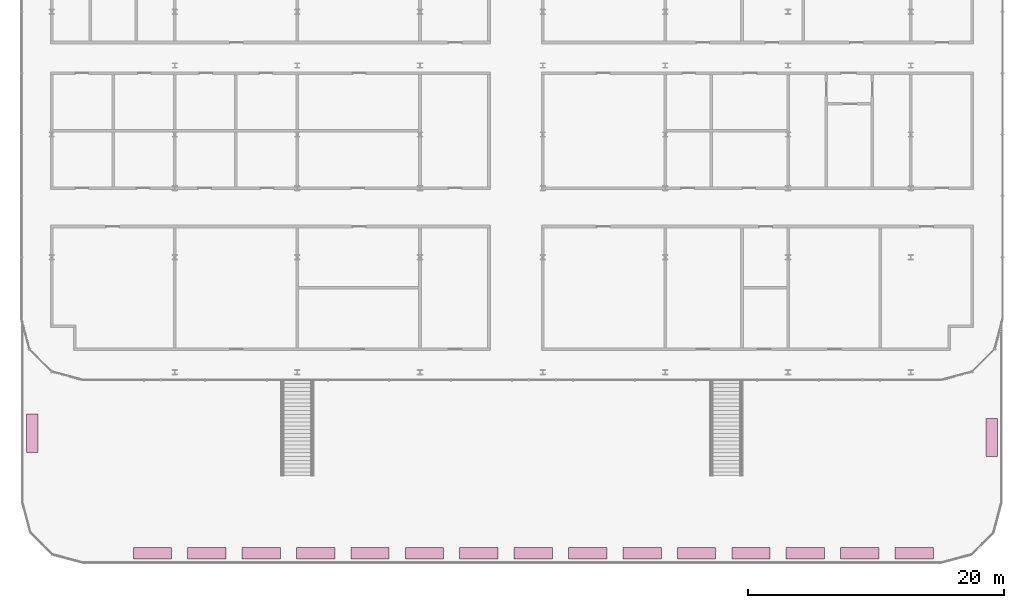
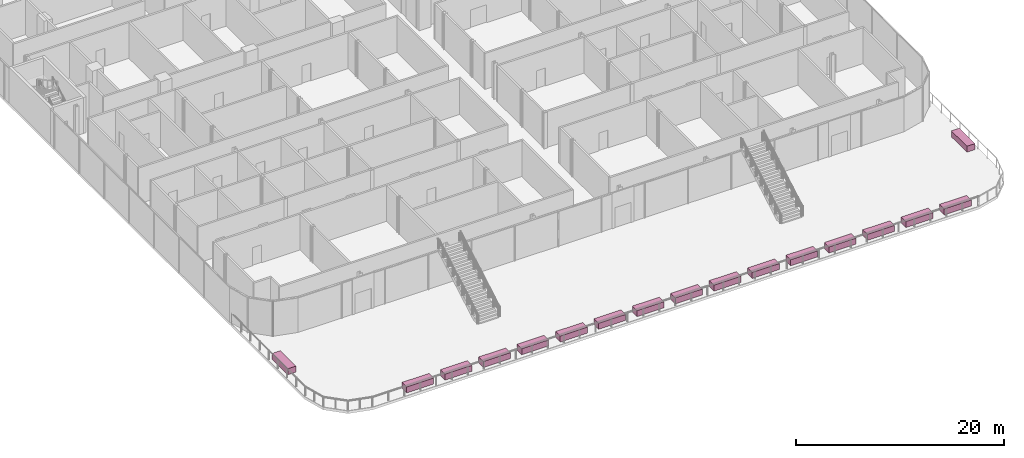
# One storey, part 45 of 45: 17 furniture elements.
"""IFC4 building model written with IfcOpenShell, lengths in metres."""

from ifc_helpers import new_model, si_unit, direction, frame, origin, origin_2d, place, context, subcontext, project, spatial, rectangle, extrude, material, type_object, element, save


model = new_model("IFC4")

# Units and contexts
model_context = context("Model", 3, precision=1e-05, world=origin(), true_north=direction((0.0, 1.0)))
body_context = subcontext(model_context, "Body", "Model", "MODEL_VIEW")
ifc_project = project(units=[si_unit("LENGTHUNIT", "METRE"), si_unit("AREAUNIT", "SQUARE_METRE"), si_unit("VOLUMEUNIT", "CUBIC_METRE"), si_unit("PLANEANGLEUNIT", "RADIAN"), si_unit("MASSUNIT", "GRAM", prefix="KILO")], contexts=[model_context])

# Site, building, storey
site_placement = place(None, origin())
site = spatial("IfcSite", under=ifc_project, at=site_placement, CompositionType="ELEMENT")
building_placement = place(site_placement, origin())
building = spatial("IfcBuilding", under=site, at=building_placement, Name="Madar Terraces", CompositionType="ELEMENT")
storey_placement = place(building_placement, frame((0.0, 0.0, 6.0)))
storey = spatial("IfcBuildingStorey", under=building, at=storey_placement, Name="L01", CompositionType="ELEMENT", Elevation=6.0)

# Furniture
ifc_material = material(Name="Precast concrete C30/37, planted soil", Category="concrete")
furniture_type = type_object("IfcFurnitureType", Name="Terrace planter 3000 x 900 x 700", AssemblyPlace="NOTDEFINED", PredefinedType="NOTDEFINED", material=ifc_material)
for number, where, z_axis, x_axis, name in (
    (1, (68.75, -42.911865234375, 0.0400390625), (0.0, 0.0, 1.0), (0.0, 1.0, 0.0), "PLANTER L01 1"),
    (2, (-6.35009765625, -42.565185546875, 0.0400390625), (0.0, 0.0, 1.0), (0.0, -1.0, 0.0), "PLANTER L01 2"),
    (3, (3.062255859375, -51.949951171875, 0.0400390625), (0.0, 0.0, 1.0), (1.0, 0.0, 0.0), "PLANTER L01 3"),
    (4, (7.320068359375, -51.949951171875, 0.0400390625), (0.0, 0.0, 1.0), (1.0, 0.0, 0.0), "PLANTER L01 4"),
    (5, (11.577880859375, -51.949951171875, 0.0400390625), (0.0, 0.0, 1.0), (1.0, 0.0, 0.0), "PLANTER L01 5"),
    (6, (15.835693359375, -51.949951171875, 0.0400390625), (0.0, 0.0, 1.0), (1.0, 0.0, 0.0), "PLANTER L01 6"),
    (7, (20.093505859375, -51.949951171875, 0.0400390625), (0.0, 0.0, 1.0), (1.0, 0.0, 0.0), "PLANTER L01 7"),
    (8, (24.351318359375, -51.949951171875, 0.0400390625), (0.0, 0.0, 1.0), (1.0, 0.0, 0.0), "PLANTER L01 8"),
    (9, (28.60888671875, -51.949951171875, 0.0400390625), (0.0, 0.0, 1.0), (1.0, 0.0, 0.0), "PLANTER L01 9"),
    (10, (32.86669921875, -51.949951171875, 0.0400390625), (0.0, 0.0, 1.0), (1.0, 0.0, 0.0), "PLANTER L01 10"),
    (11, (37.12451171875, -51.949951171875, 0.0400390625), (0.0, 0.0, 1.0), (1.0, 0.0, 0.0), "PLANTER L01 11"),
    (12, (41.38232421875, -51.949951171875, 0.0400390625), (0.0, 0.0, 1.0), (1.0, 0.0, 0.0), "PLANTER L01 12"),
    (13, (45.639892578125, -51.949951171875, 0.0400390625), (0.0, 0.0, 1.0), (1.0, 0.0, 0.0), "PLANTER L01 13"),
    (14, (49.897705078125, -51.949951171875, 0.0400390625), (0.0, 0.0, 1.0), (1.0, 0.0, 0.0), "PLANTER L01 14"),
    (15, (54.155517578125, -51.949951171875, 0.0400390625), (0.0, 0.0, 1.0), (1.0, 0.0, 0.0), "PLANTER L01 15"),
    (16, (58.413330078125, -51.949951171875, 0.0400390625), (0.0, 0.0, 1.0), (1.0, 0.0, 0.0), "PLANTER L01 16"),
    (17, (62.671142578125, -51.949951171875, 0.0400390625), (0.0, 0.0, 1.0), (1.0, 0.0, 0.0), "PLANTER L01 17"),
):
    element("IfcFurniture", number, at=place(storey_placement, frame(where, z_axis=z_axis, x_axis=x_axis)), inside=storey, type_object=furniture_type, Name=name, PredefinedType="NOTDEFINED", context=body_context, shape_type="SweptSolid", body=[
        extrude(rectangle(XDim=3.0, YDim=0.89990234375, at=origin_2d()), origin(), (0.0, 0.0, 1.0), 0.699951171875),
    ])

save(model, "model.ifc")
